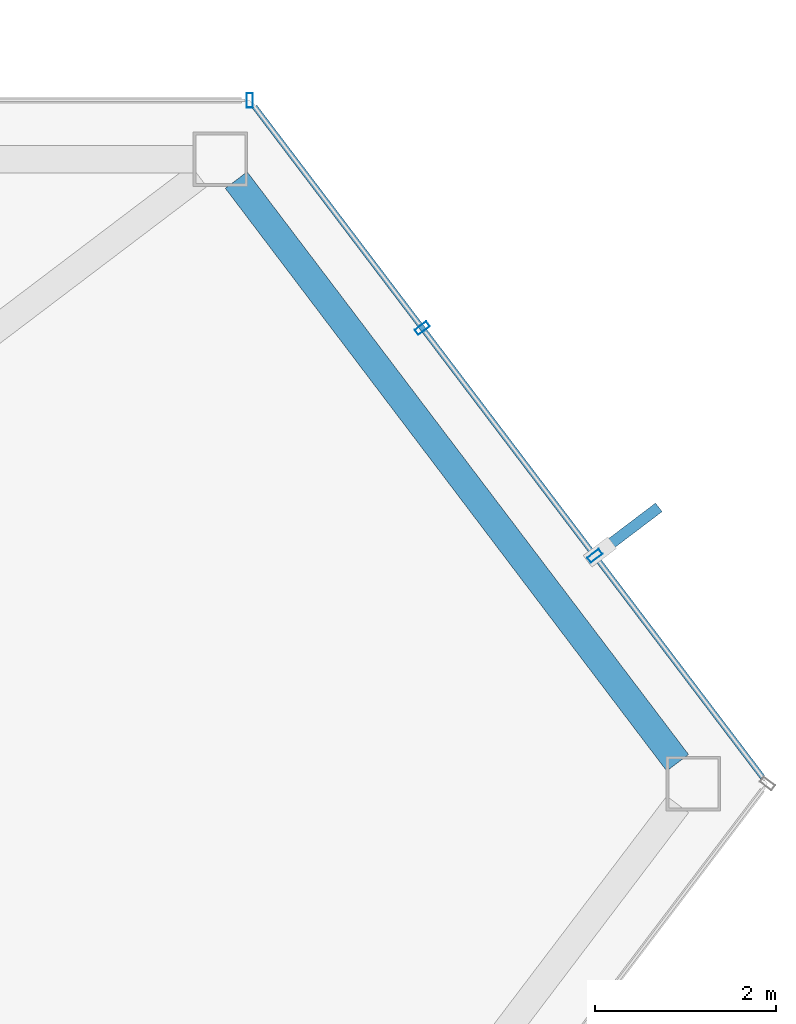
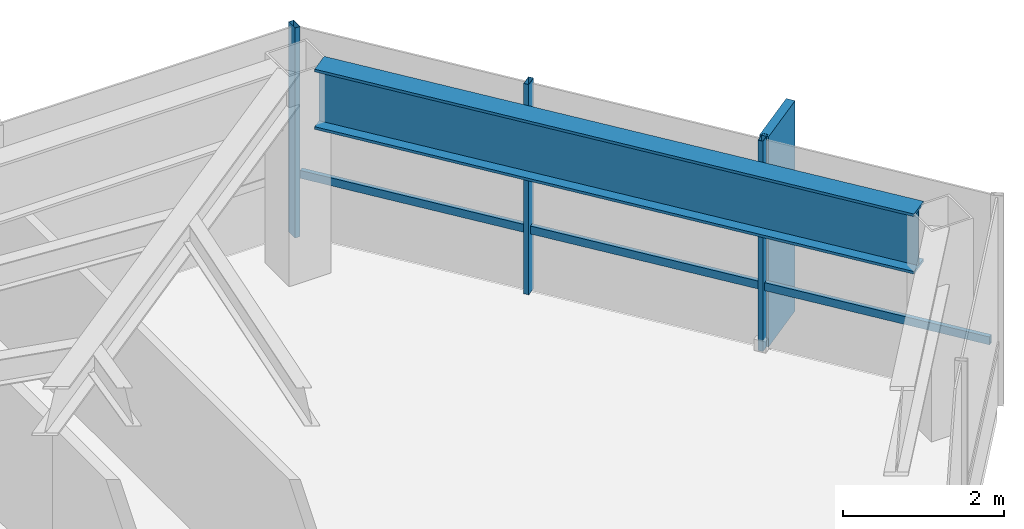
# One storey, part 20 of 25: 5 members, 1 beam, 2 elements without a shape of their own.
"""IFC4 building model written with IfcOpenShell, lengths in metres."""

from ifc_helpers import new_model, si_unit, direction, frame, origin, origin_2d, place, context, subcontext, project, spatial, rectangle, hollow_rectangle, i_section, extrude, material, layer, layer_set, material_profile, profile_set, type_object, element, aggregate, save


model = new_model("IFC4")

# Units and contexts
model_context = context("Model", 3, precision=1e-05, world=origin(), true_north=direction((0.0, 1.0)))
body_context = subcontext(model_context, "Body", "Model", "MODEL_VIEW")
ifc_project = project(units=[si_unit("LENGTHUNIT", "METRE"), si_unit("AREAUNIT", "SQUARE_METRE"), si_unit("VOLUMEUNIT", "CUBIC_METRE"), si_unit("PLANEANGLEUNIT", "RADIAN"), si_unit("MASSUNIT", "GRAM", prefix="KILO")], contexts=[model_context])

# Site, building, storey
site_placement = place(None, origin())
site = spatial("IfcSite", under=ifc_project, at=site_placement, CompositionType="ELEMENT")
building_placement = place(site_placement, origin())
building = spatial("IfcBuilding", under=site, at=building_placement, Name="Zarrinselat Tower", CompositionType="ELEMENT")
storey_placement = place(building_placement, frame((0.0, 0.0, 212.159912109375)))
storey = spatial("IfcBuildingStorey", under=building, at=storey_placement, Name="L52", CompositionType="ELEMENT", Elevation=212.159912109375)

# Beam
ifc_material_1 = material(Name="Steel S460M", Category="steel")
ifc_material_profile_1 = material_profile(ifc_material_1, i_section(OverallWidth=0.302001953125, OverallDepth=0.909912109375, WebThickness=0.02099609375, FlangeThickness=0.0400390625, at=origin_2d()), Name="HEM 900")
ifc_profile_set_1 = profile_set([ifc_material_profile_1], Name="Steel S460M")
beam_type = type_object("IfcBeamType", Name="BM-HEM900", PredefinedType="BEAM", material=ifc_profile_set_1)
beam_placement = place(storey_placement, frame((56.39208984375, 47.531494140625, 2.72509765625), z_axis=(0.603860604032, -0.797089939027, 0.0), x_axis=(0.797089939027, 0.603860604032, 0.0)))
element("IfcBeam", 1, at=beam_placement, inside=storey, type_object=beam_type, Name="L52 Perimeter Spandrel Girder SP15", PredefinedType="BEAM", context=body_context, shape_type="SweptSolid", body=[
    extrude(i_section(OverallWidth=0.302001953125, OverallDepth=0.909912109375, WebThickness=0.02099609375, FlangeThickness=0.0400390625, at=origin_2d()), origin(), (0.0, 0.0, 1.0), 8.059814453125),
])

# Curtain wall, member
ifc_material_2 = material(Name="Extruded Aluminium Alloy EN AW-6063 T6", Category="aluminium")
ifc_layer = layer(ifc_material_2, 0.169921875)
ifc_layer_set = layer_set([ifc_layer], Name="Extruded Aluminium Alloy EN AW-6063 T6")
curtain_wall_type = type_object("IfcCurtainWallType", Name="CWS-RES", PredefinedType="NOTDEFINED", material=ifc_layer_set)
curtain_wall_1_placement = place(storey_placement, origin())
curtain_wall_1 = element("IfcCurtainWall", 2, at=curtain_wall_1_placement, inside=storey, type_object=curtain_wall_type, Name="L52 Unitised Curtain Wall CW-L52-E01", PredefinedType="NOTDEFINED")
ifc_material_3 = material(Name="Extruded Aluminium Alloy EN AW-6063 T6", Category="aluminium")
ifc_material_profile_2 = material_profile(ifc_material_3, hollow_rectangle(XDim=0.070068359375, YDim=0.159912109375, WallThickness=0.00390625, at=origin_2d()), Name="RHS 160x70x4")
ifc_profile_set_2 = profile_set([ifc_material_profile_2], Name="Extruded Aluminium Alloy EN AW-6063 T6")
member_type_1 = type_object("IfcMemberType", Name="MEM-CW-MUL2", PredefinedType="MULLION", material=ifc_profile_set_2)
member_1_placement = place(storey_placement, frame((56.541259765625, 48.4111328125, 0.0), z_axis=(0.0, 0.0, 1.0), x_axis=(-1.0, 0.0, 0.0)))
member_1 = element("IfcMember", 3, at=member_1_placement, type_object=member_type_1, Name="CW-L52-E01 Mullion 0", PredefinedType="MULLION", context=body_context, shape_type="SweptSolid", body=[
    extrude(hollow_rectangle(XDim=0.070068359375, YDim=0.159912109375, WallThickness=0.00390625, at=origin_2d()), origin(), (0.0, 0.0, 1.0), 3.18017578125),
])
aggregate(curtain_wall_1, [member_1])

# Curtain wall, members
curtain_wall_2_placement = place(storey_placement, origin())
curtain_wall_2 = element("IfcCurtainWall", 4, at=curtain_wall_2_placement, inside=storey, type_object=curtain_wall_type, Name="L52 Unitised Curtain Wall CW-L52-E06", PredefinedType="NOTDEFINED")
member_2_placement = place(storey_placement, frame((60.345947265625, 43.388916015625, 0.0), z_axis=(0.0, 0.0, 1.0), x_axis=(-0.603857891707, 0.797091993827, 0.0)))
member_2 = element("IfcMember", 5, at=member_2_placement, type_object=member_type_1, Name="CW-L52-E06 Mullion 1", PredefinedType="MULLION", context=body_context, shape_type="SweptSolid", body=[
    extrude(hollow_rectangle(XDim=0.070068359375, YDim=0.159912109375, WallThickness=0.00390625, at=origin_2d()), origin(), (0.0, 0.0, 1.0), 3.18017578125),
])
member_3_placement = place(storey_placement, frame((58.443603515625, 45.89990234375, 0.0), z_axis=(0.0, 0.0, 1.0), x_axis=(-0.603857891707, 0.797091993827, 0.0)))
member_3 = element("IfcMember", 6, at=member_3_placement, type_object=member_type_1, Name="CW-L52-E06 Mullion 2", PredefinedType="MULLION", context=body_context, shape_type="SweptSolid", body=[
    extrude(hollow_rectangle(XDim=0.070068359375, YDim=0.159912109375, WallThickness=0.00390625, at=origin_2d()), origin(), (0.0, 0.0, 1.0), 3.18017578125),
])
ifc_material_4 = material(Name="Extruded Aluminium Alloy EN AW-6063 T6", Category="aluminium")
ifc_material_profile_3 = material_profile(ifc_material_4, hollow_rectangle(XDim=0.06005859375, YDim=0.1201171875, WallThickness=0.00390625, at=origin_2d()), Name="RHS 120x60x4")
ifc_profile_set_3 = profile_set([ifc_material_profile_3], Name="Extruded Aluminium Alloy EN AW-6063 T6")
member_type_2 = type_object("IfcMemberType", Name="MEM-CW-TRN2", PredefinedType="USERDEFINED", material=ifc_profile_set_3)
member_4_placement = place(storey_placement, frame((62.194091796875, 40.94921875, 0.9501953125), z_axis=(-0.603860729921, 0.797089843656, 0.0), x_axis=(-0.797089843656, -0.603860729921, 0.0)))
member_4 = element("IfcMember", 7, at=member_4_placement, type_object=member_type_2, Name="CW-L52-E06 Transom 1", ObjectType="TRANSOM", PredefinedType="USERDEFINED", context=body_context, shape_type="SweptSolid", body=[
    extrude(hollow_rectangle(XDim=0.06005859375, YDim=0.1201171875, WallThickness=0.00390625, at=origin_2d()), origin(), (0.0, 0.0, 1.0), 9.271484375),
])
ifc_material_5 = material(Name="Honed Cream Travertine Stone", Category="masonry")
ifc_material_profile_4 = material_profile(ifc_material_5, rectangle(XDim=0.1201171875, YDim=0.85009765625, at=origin_2d()), Name="FIN 850x120")
ifc_profile_set_4 = profile_set([ifc_material_profile_4], Name="Honed Cream Travertine Stone")
member_type_3 = type_object("IfcMemberType", Name="MEM-STONE-FIN", PredefinedType="USERDEFINED", material=ifc_profile_set_4)
member_5_placement = place(storey_placement, frame((60.712646484375, 43.66650390625, 0.0), z_axis=(0.0, 0.0, 1.0), x_axis=(0.603857891707, -0.797091993827, 0.0)))
member_5 = element("IfcMember", 8, at=member_5_placement, type_object=member_type_3, Name="L52 Stone Shading Fin CW-L52-E06-01", ObjectType="FIN", PredefinedType="USERDEFINED", context=body_context, shape_type="SweptSolid", body=[
    extrude(rectangle(XDim=0.1201171875, YDim=0.85009765625, at=origin_2d()), origin(), (0.0, 0.0, 1.0), 3.18017578125),
])
aggregate(curtain_wall_2, [member_2, member_5, member_3, member_4])

save(model, "model.ifc")
